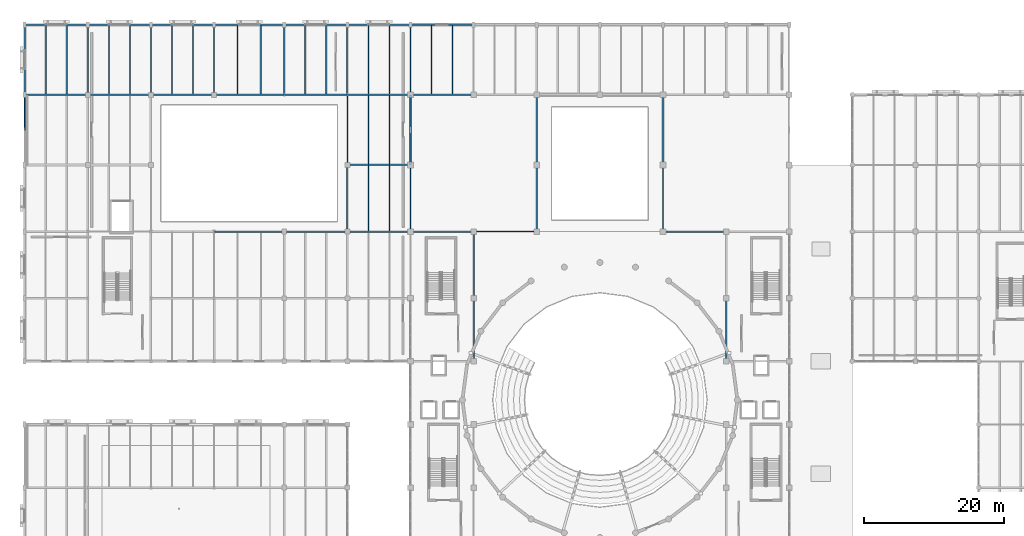
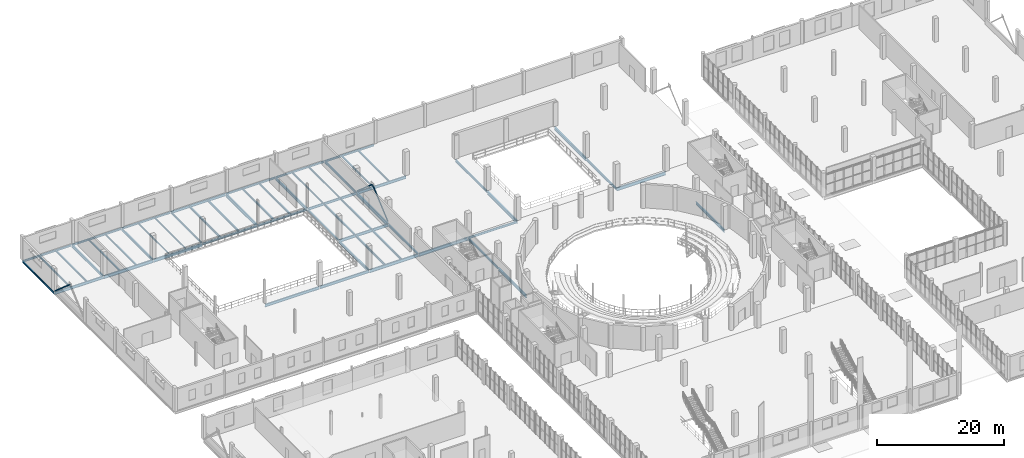
# One storey, part 44 of 93: 57 beams, 3 members.
"""IFC4 building model written with IfcOpenShell, lengths in metres."""

from ifc_helpers import new_model, si_unit, direction, frame, origin, origin_2d, place, context, subcontext, project, spatial, hollow_circle, i_section, extrude, material, material_profile, profile_set, type_object, element, save


model = new_model("IFC4")

# Units and contexts
model_context = context("Model", 3, precision=1e-05, world=origin(), true_north=direction((0.0, 1.0)))
body_context = subcontext(model_context, "Body", "Model", "MODEL_VIEW")
ifc_project = project(units=[si_unit("LENGTHUNIT", "METRE"), si_unit("AREAUNIT", "SQUARE_METRE"), si_unit("VOLUMEUNIT", "CUBIC_METRE"), si_unit("PLANEANGLEUNIT", "RADIAN"), si_unit("MASSUNIT", "GRAM", prefix="KILO")], contexts=[model_context])

# Site, building, storey
site_placement = place(None, origin())
site = spatial("IfcSite", under=ifc_project, at=site_placement, CompositionType="ELEMENT")
building_placement = place(site_placement, origin())
building = spatial("IfcBuilding", under=site, at=building_placement, Name="Marnock Terrace Opera House", CompositionType="ELEMENT")
storey_placement = place(building_placement, frame((0.0, 0.0, 5.39990234375)))
storey = spatial("IfcBuildingStorey", under=building, at=storey_placement, Name="L01", CompositionType="ELEMENT", Elevation=5.39990234375)

# Beams
ifc_material_1 = material(Name="Steel Grade 350 (AS/NZS 3679.1)", Category="steel")
ifc_material_profile_1 = material_profile(ifc_material_1, i_section(OverallWidth=0.1708984375, OverallDepth=0.355712890625, WebThickness=0.00732421875, FlangeThickness=0.011474609375, FilletRadius=0.011474609375, at=origin_2d()))
ifc_profile_set_1 = profile_set([ifc_material_profile_1], Name="Steel Grade 350 (AS/NZS 3679.1)")
beam_type_1 = type_object("IfcBeamType", Name="BM-GIRD-360", PredefinedType="BEAM", material=ifc_profile_set_1)
for number, where, z_axis, x_axis, name in (
    (1, (27.0, 104.050048828125, -0.457763671875), (0.0, 1.0, 0.0), (-1.0, 0.0, 0.0), "L01 girder (X=27.0, 104.0..114.0)"),
    (2, (46.0, 94.050048828125, -0.457763671875), (0.0, 1.0, 0.0), (-1.0, 0.0, 0.0), "L01 girder (X=46.0, 94.0..104.0)"),
):
    element("IfcBeam", number, at=place(storey_placement, frame(where, z_axis=z_axis, x_axis=x_axis)), inside=storey, type_object=beam_type_1, Name=name, PredefinedType="BEAM", context=body_context, shape_type="SweptSolid", body=[
        extrude(i_section(OverallWidth=0.1708984375, OverallDepth=0.355712890625, WebThickness=0.00732421875, FlangeThickness=0.011474609375, FilletRadius=0.011474609375, at=origin_2d()), origin(), (0.0, 0.0, 1.0), 9.89990234375),
    ])
ifc_material_profile_2 = material_profile(ifc_material_1, i_section(OverallWidth=0.177978515625, OverallDepth=0.402587890625, WebThickness=0.007568359375, FlangeThickness=0.010986328125, FilletRadius=0.011474609375, at=origin_2d()))
ifc_profile_set_2 = profile_set([ifc_material_profile_2], Name="Steel Grade 350 (AS/NZS 3679.1)")
beam_type_2 = type_object("IfcBeamType", Name="BM-GIRD-410", PredefinedType="BEAM", material=ifc_profile_set_2)
beam_1_placement = place(storey_placement, frame((64.050048828125, 84.5, -0.481201171875), z_axis=(1.0, 0.0, 0.0), x_axis=(0.0, 1.0, 0.0)))
element("IfcBeam", 3, at=beam_1_placement, inside=storey, type_object=beam_type_2, Name="L01 girder (64.0..73.0, Y=84.5)", PredefinedType="BEAM", context=body_context, shape_type="SweptSolid", body=[
    extrude(i_section(OverallWidth=0.177978515625, OverallDepth=0.402587890625, WebThickness=0.007568359375, FlangeThickness=0.010986328125, FilletRadius=0.011474609375, at=origin_2d()), origin(), (0.0, 0.0, 1.0), 8.89990234375),
])
beam_2_placement = place(storey_placement, frame((27.050048828125, 104.0, -0.481201171875), z_axis=(1.0, 0.0, 0.0), x_axis=(0.0, 1.0, 0.0)))
element("IfcBeam", 4, at=beam_2_placement, inside=storey, type_object=beam_type_2, Name="L01 girder (27.0..37.0, Y=104.0)", PredefinedType="BEAM", context=body_context, shape_type="SweptSolid", body=[
    extrude(i_section(OverallWidth=0.177978515625, OverallDepth=0.402587890625, WebThickness=0.007568359375, FlangeThickness=0.010986328125, FilletRadius=0.011474609375, at=origin_2d()), origin(), (0.0, 0.0, 1.0), 9.89990234375),
])
beam_3_placement = place(storey_placement, frame((37.050048828125, 104.0, -0.481201171875), z_axis=(1.0, 0.0, 0.0), x_axis=(0.0, 1.0, 0.0)))
element("IfcBeam", 5, at=beam_3_placement, inside=storey, type_object=beam_type_2, Name="L01 girder (37.0..46.0, Y=104.0)", PredefinedType="BEAM", context=body_context, shape_type="SweptSolid", body=[
    extrude(i_section(OverallWidth=0.177978515625, OverallDepth=0.402587890625, WebThickness=0.007568359375, FlangeThickness=0.010986328125, FilletRadius=0.011474609375, at=origin_2d()), origin(), (0.0, 0.0, 1.0), 8.89990234375),
])
ifc_material_profile_3 = material_profile(ifc_material_1, i_section(OverallWidth=0.19091796875, OverallDepth=0.46044921875, WebThickness=0.010009765625, FlangeThickness=0.01611328125, FilletRadius=0.011474609375, at=origin_2d()))
ifc_profile_set_3 = profile_set([ifc_material_profile_3], Name="Steel Grade 350 (AS/NZS 3679.1)")
beam_type_3 = type_object("IfcBeamType", Name="BM-GIRD-460A", PredefinedType="BEAM", material=ifc_profile_set_3)
beam_4_placement = place(storey_placement, frame((46.050048828125, 104.0, -0.510009765625), z_axis=(1.0, 0.0, 0.0), x_axis=(0.0, 1.0, 0.0)))
element("IfcBeam", 6, at=beam_4_placement, inside=storey, type_object=beam_type_3, Name="L01 girder (46.0..55.0, Y=104.0)", PredefinedType="BEAM", context=body_context, shape_type="SweptSolid", body=[
    extrude(i_section(OverallWidth=0.19091796875, OverallDepth=0.46044921875, WebThickness=0.010009765625, FlangeThickness=0.01611328125, FilletRadius=0.011474609375, at=origin_2d()), origin(), (0.0, 0.0, 1.0), 8.89990234375),
])
ifc_material_profile_4 = material_profile(ifc_material_1, i_section(OverallWidth=0.18994140625, OverallDepth=0.45751953125, WebThickness=0.009033203125, FlangeThickness=0.014404296875, FilletRadius=0.011474609375, at=origin_2d()))
ifc_profile_set_4 = profile_set([ifc_material_profile_4], Name="Steel Grade 350 (AS/NZS 3679.1)")
beam_type_4 = type_object("IfcBeamType", Name="BM-GIRD-460B", PredefinedType="BEAM", material=ifc_profile_set_4)
beam_5_placement = place(storey_placement, frame((18.0, 104.050048828125, -0.508544921875), z_axis=(0.0, 1.0, 0.0), x_axis=(-1.0, 0.0, 0.0)))
element("IfcBeam", 7, at=beam_5_placement, inside=storey, type_object=beam_type_4, Name="L01 girder (X=18.0, 104.0..114.0)", PredefinedType="BEAM", context=body_context, shape_type="SweptSolid", body=[
    extrude(i_section(OverallWidth=0.18994140625, OverallDepth=0.45751953125, WebThickness=0.009033203125, FlangeThickness=0.014404296875, FilletRadius=0.011474609375, at=origin_2d()), origin(), (0.0, 0.0, 1.0), 9.89990234375),
])
beam_6_placement = place(storey_placement, frame((55.0, 84.550048828125, -0.508544921875), z_axis=(0.0, 1.0, 0.0), x_axis=(-1.0, 0.0, 0.0)))
element("IfcBeam", 8, at=beam_6_placement, inside=storey, type_object=beam_type_4, Name="L01 girder (X=55.0, 84.5..94.0)", PredefinedType="BEAM", context=body_context, shape_type="SweptSolid", body=[
    extrude(i_section(OverallWidth=0.18994140625, OverallDepth=0.45751953125, WebThickness=0.009033203125, FlangeThickness=0.014404296875, FilletRadius=0.011474609375, at=origin_2d()), origin(), (0.0, 0.0, 1.0), 9.39990234375),
])
beam_7_placement = place(storey_placement, frame((55.0, 104.050048828125, -0.508544921875), z_axis=(0.0, 1.0, 0.0), x_axis=(-1.0, 0.0, 0.0)))
element("IfcBeam", 9, at=beam_7_placement, inside=storey, type_object=beam_type_4, Name="L01 girder (X=55.0, 104.0..114.0)", PredefinedType="BEAM", context=body_context, shape_type="SweptSolid", body=[
    extrude(i_section(OverallWidth=0.18994140625, OverallDepth=0.45751953125, WebThickness=0.009033203125, FlangeThickness=0.014404296875, FilletRadius=0.011474609375, at=origin_2d()), origin(), (0.0, 0.0, 1.0), 9.89990234375),
])
beam_8_placement = place(storey_placement, frame((64.0, 75.050048828125, -0.508544921875), z_axis=(0.0, 1.0, 0.0), x_axis=(-1.0, 0.0, 0.0)))
element("IfcBeam", 10, at=beam_8_placement, inside=storey, type_object=beam_type_4, Name="L01 girder (X=64.0, 75.0..84.5)", PredefinedType="BEAM", context=body_context, shape_type="SweptSolid", body=[
    extrude(i_section(OverallWidth=0.18994140625, OverallDepth=0.45751953125, WebThickness=0.009033203125, FlangeThickness=0.014404296875, FilletRadius=0.011474609375, at=origin_2d()), origin(), (0.0, 0.0, 1.0), 9.39990234375),
])
beam_9_placement = place(storey_placement, frame((73.0, 94.050048828125, -0.508544921875), z_axis=(0.0, 1.0, 0.0), x_axis=(-1.0, 0.0, 0.0)))
element("IfcBeam", 11, at=beam_9_placement, inside=storey, type_object=beam_type_4, Name="L01 girder (X=73.0, 94.0..104.0)", PredefinedType="BEAM", context=body_context, shape_type="SweptSolid", body=[
    extrude(i_section(OverallWidth=0.18994140625, OverallDepth=0.45751953125, WebThickness=0.009033203125, FlangeThickness=0.014404296875, FilletRadius=0.011474609375, at=origin_2d()), origin(), (0.0, 0.0, 1.0), 9.89990234375),
])
beam_10_placement = place(storey_placement, frame((91.0, 84.550048828125, -0.508544921875), z_axis=(0.0, 1.0, 0.0), x_axis=(-1.0, 0.0, 0.0)))
element("IfcBeam", 12, at=beam_10_placement, inside=storey, type_object=beam_type_4, Name="L01 girder (X=91.0, 84.5..94.0)", PredefinedType="BEAM", context=body_context, shape_type="SweptSolid", body=[
    extrude(i_section(OverallWidth=0.18994140625, OverallDepth=0.45751953125, WebThickness=0.009033203125, FlangeThickness=0.014404296875, FilletRadius=0.011474609375, at=origin_2d()), origin(), (0.0, 0.0, 1.0), 9.39990234375),
])
ifc_material_profile_5 = material_profile(ifc_material_1, i_section(OverallWidth=0.208984375, OverallDepth=0.532958984375, WebThickness=0.01025390625, FlangeThickness=0.015625, FilletRadius=0.013916015625, at=origin_2d()))
ifc_profile_set_5 = profile_set([ifc_material_profile_5], Name="Steel Grade 350 (AS/NZS 3679.1)")
beam_type_5 = type_object("IfcBeamType", Name="BM-GIRD-530A", PredefinedType="BEAM", material=ifc_profile_set_5)
beam_11_placement = place(storey_placement, frame((27.050048828125, 84.5, -0.54638671875), z_axis=(1.0, 0.0, 0.0), x_axis=(0.0, 1.0, 0.0)))
element("IfcBeam", 13, at=beam_11_placement, inside=storey, type_object=beam_type_5, Name="L01 girder (27.0..37.0, Y=84.5)", PredefinedType="BEAM", context=body_context, shape_type="SweptSolid", body=[
    extrude(i_section(OverallWidth=0.208984375, OverallDepth=0.532958984375, WebThickness=0.01025390625, FlangeThickness=0.015625, FilletRadius=0.013916015625, at=origin_2d()), origin(), (0.0, 0.0, 1.0), 9.89990234375),
])
for number, where, z_axis, x_axis, name in (
    (14, (37.050048828125, 84.5, -0.54638671875), (1.0, 0.0, 0.0), (0.0, 1.0, 0.0), "L01 girder (37.0..46.0, Y=84.5)"),
    (15, (46.050048828125, 94.0, -0.54638671875), (1.0, 0.0, 0.0), (0.0, 1.0, 0.0), "L01 girder (46.0..55.0, Y=94.0)"),
    (16, (0.050048828125, 104.0, -0.54638671875), (1.0, 0.0, 0.0), (0.0, 1.0, 0.0), "L01 girder (0.0..9.0, Y=104.0)"),
    (17, (55.050048828125, 104.0, -0.54638671875), (1.0, 0.0, 0.0), (0.0, 1.0, 0.0), "L01 girder (55.0..64.0, Y=104.0)"),
):
    element("IfcBeam", number, at=place(storey_placement, frame(where, z_axis=z_axis, x_axis=x_axis)), inside=storey, type_object=beam_type_5, Name=name, PredefinedType="BEAM", context=body_context, shape_type="SweptSolid", body=[
        extrude(i_section(OverallWidth=0.208984375, OverallDepth=0.532958984375, WebThickness=0.01025390625, FlangeThickness=0.015625, FilletRadius=0.013916015625, at=origin_2d()), origin(), (0.0, 0.0, 1.0), 8.89990234375),
    ])
ifc_material_profile_6 = material_profile(ifc_material_1, i_section(OverallWidth=0.208984375, OverallDepth=0.528076171875, WebThickness=0.009521484375, FlangeThickness=0.01318359375, FilletRadius=0.013916015625, at=origin_2d()))
ifc_profile_set_6 = profile_set([ifc_material_profile_6], Name="Steel Grade 350 (AS/NZS 3679.1)")
beam_type_6 = type_object("IfcBeamType", Name="BM-GIRD-530B", PredefinedType="BEAM", material=ifc_profile_set_6)
beam_12_placement = place(storey_placement, frame((9.0, 104.050048828125, -0.5439453125), z_axis=(0.0, 1.0, 0.0), x_axis=(-1.0, 0.0, 0.0)))
element("IfcBeam", 18, at=beam_12_placement, inside=storey, type_object=beam_type_6, Name="L01 girder (X=9.0, 104.0..114.0)", PredefinedType="BEAM", context=body_context, shape_type="SweptSolid", body=[
    extrude(i_section(OverallWidth=0.208984375, OverallDepth=0.528076171875, WebThickness=0.009521484375, FlangeThickness=0.01318359375, FilletRadius=0.013916015625, at=origin_2d()), origin(), (0.0, 0.0, 1.0), 9.89990234375),
])
beam_13_placement = place(storey_placement, frame((46.0, 84.550048828125, -0.5439453125), z_axis=(0.0, 1.0, 0.0), x_axis=(-1.0, 0.0, 0.0)))
element("IfcBeam", 19, at=beam_13_placement, inside=storey, type_object=beam_type_6, Name="L01 girder (X=46.0, 84.5..94.0)", PredefinedType="BEAM", context=body_context, shape_type="SweptSolid", body=[
    extrude(i_section(OverallWidth=0.208984375, OverallDepth=0.528076171875, WebThickness=0.009521484375, FlangeThickness=0.01318359375, FilletRadius=0.013916015625, at=origin_2d()), origin(), (0.0, 0.0, 1.0), 9.39990234375),
])
beam_14_placement = place(storey_placement, frame((46.0, 104.050048828125, -0.5439453125), z_axis=(0.0, 1.0, 0.0), x_axis=(-1.0, 0.0, 0.0)))
element("IfcBeam", 20, at=beam_14_placement, inside=storey, type_object=beam_type_6, Name="L01 girder (X=46.0, 104.0..114.0)", PredefinedType="BEAM", context=body_context, shape_type="SweptSolid", body=[
    extrude(i_section(OverallWidth=0.208984375, OverallDepth=0.528076171875, WebThickness=0.009521484375, FlangeThickness=0.01318359375, FilletRadius=0.013916015625, at=origin_2d()), origin(), (0.0, 0.0, 1.0), 9.89990234375),
])
for number, where, z_axis, x_axis, name in (
    (21, (64.0, 66.050048828125, -0.5439453125), (0.0, 1.0, 0.0), (-1.0, 0.0, 0.0), "L01 girder (X=64.0, 66.0..75.0)"),
    (22, (100.0, 66.050048828125, -0.5439453125), (0.0, 1.0, 0.0), (-1.0, 0.0, 0.0), "L01 girder (X=100.0, 66.0..75.0)"),
):
    element("IfcBeam", number, at=place(storey_placement, frame(where, z_axis=z_axis, x_axis=x_axis)), inside=storey, type_object=beam_type_6, Name=name, PredefinedType="BEAM", context=body_context, shape_type="SweptSolid", body=[
        extrude(i_section(OverallWidth=0.208984375, OverallDepth=0.528076171875, WebThickness=0.009521484375, FlangeThickness=0.01318359375, FilletRadius=0.013916015625, at=origin_2d()), origin(), (0.0, 0.0, 1.0), 8.89990234375),
    ])
ifc_material_profile_7 = material_profile(ifc_material_1, i_section(OverallWidth=0.22900390625, OverallDepth=0.611572265625, WebThickness=0.011962890625, FlangeThickness=0.01953125, FilletRadius=0.013916015625, at=origin_2d()))
ifc_profile_set_7 = profile_set([ifc_material_profile_7], Name="Steel Grade 350 (AS/NZS 3679.1)")
beam_type_7 = type_object("IfcBeamType", Name="BM-GIRD-610A", PredefinedType="BEAM", material=ifc_profile_set_7)
for number, where, z_axis, x_axis, name in (
    (23, (55.050048828125, 84.5, -0.585693359375), (1.0, 0.0, 0.0), (0.0, 1.0, 0.0), "L01 girder (55.0..64.0, Y=84.5)"),
    (24, (18.050048828125, 104.0, -0.585693359375), (1.0, 0.0, 0.0), (0.0, 1.0, 0.0), "L01 girder (18.0..27.0, Y=104.0)"),
):
    element("IfcBeam", number, at=place(storey_placement, frame(where, z_axis=z_axis, x_axis=x_axis)), inside=storey, type_object=beam_type_7, Name=name, PredefinedType="BEAM", context=body_context, shape_type="SweptSolid", body=[
        extrude(i_section(OverallWidth=0.22900390625, OverallDepth=0.611572265625, WebThickness=0.011962890625, FlangeThickness=0.01953125, FilletRadius=0.013916015625, at=origin_2d()), origin(), (0.0, 0.0, 1.0), 8.89990234375),
    ])
ifc_material_profile_8 = material_profile(ifc_material_1, i_section(OverallWidth=0.22802734375, OverallDepth=0.60693359375, WebThickness=0.01123046875, FlangeThickness=0.017333984375, FilletRadius=0.013916015625, at=origin_2d()))
ifc_profile_set_8 = profile_set([ifc_material_profile_8], Name="Steel Grade 350 (AS/NZS 3679.1)")
beam_type_8 = type_object("IfcBeamType", Name="BM-GIRD-610B", PredefinedType="BEAM", material=ifc_profile_set_8)
for number, where, z_axis, x_axis, name in (
    (25, (46.050048828125, 84.5, -0.58349609375), (1.0, 0.0, 0.0), (0.0, 1.0, 0.0), "L01 girder (46.0..55.0, Y=84.5)"),
    (26, (91.050048828125, 84.5, -0.58349609375), (1.0, 0.0, 0.0), (0.0, 1.0, 0.0), "L01 girder (91.0..100.0, Y=84.5)"),
    (27, (9.050048828125, 104.0, -0.58349609375), (1.0, 0.0, 0.0), (0.0, 1.0, 0.0), "L01 girder (9.0..18.0, Y=104.0)"),
):
    element("IfcBeam", number, at=place(storey_placement, frame(where, z_axis=z_axis, x_axis=x_axis)), inside=storey, type_object=beam_type_8, Name=name, PredefinedType="BEAM", context=body_context, shape_type="SweptSolid", body=[
        extrude(i_section(OverallWidth=0.22802734375, OverallDepth=0.60693359375, WebThickness=0.01123046875, FlangeThickness=0.017333984375, FilletRadius=0.013916015625, at=origin_2d()), origin(), (0.0, 0.0, 1.0), 8.89990234375),
    ])
ifc_material_profile_9 = material_profile(ifc_material_1, i_section(OverallWidth=0.22802734375, OverallDepth=0.60205078125, WebThickness=0.010498046875, FlangeThickness=0.014892578125, FilletRadius=0.013916015625, at=origin_2d()))
ifc_profile_set_9 = profile_set([ifc_material_profile_9], Name="Steel Grade 350 (AS/NZS 3679.1)")
beam_type_9 = type_object("IfcBeamType", Name="BM-GIRD-610C", PredefinedType="BEAM", material=ifc_profile_set_9)
for number, where, z_axis, x_axis, name in (
    (28, (37.0, 104.050048828125, -0.580810546875), (0.0, 1.0, 0.0), (-1.0, 0.0, 0.0), "L01 girder (X=37.0, 104.0..114.0)"),
    (29, (55.0, 94.050048828125, -0.580810546875), (0.0, 1.0, 0.0), (-1.0, 0.0, 0.0), "L01 girder (X=55.0, 94.0..104.0)"),
):
    element("IfcBeam", number, at=place(storey_placement, frame(where, z_axis=z_axis, x_axis=x_axis)), inside=storey, type_object=beam_type_9, Name=name, PredefinedType="BEAM", context=body_context, shape_type="SweptSolid", body=[
        extrude(i_section(OverallWidth=0.22802734375, OverallDepth=0.60205078125, WebThickness=0.010498046875, FlangeThickness=0.014892578125, FilletRadius=0.013916015625, at=origin_2d()), origin(), (0.0, 0.0, 1.0), 9.89990234375),
    ])
beam_15_placement = place(storey_placement, frame((73.0, 84.550048828125, -0.580810546875), z_axis=(0.0, 1.0, 0.0), x_axis=(-1.0, 0.0, 0.0)))
element("IfcBeam", 30, at=beam_15_placement, inside=storey, type_object=beam_type_9, Name="L01 girder (X=73.0, 84.5..94.0)", PredefinedType="BEAM", context=body_context, shape_type="SweptSolid", body=[
    extrude(i_section(OverallWidth=0.22802734375, OverallDepth=0.60205078125, WebThickness=0.010498046875, FlangeThickness=0.014892578125, FilletRadius=0.013916015625, at=origin_2d()), origin(), (0.0, 0.0, 1.0), 9.39990234375),
])
beam_16_placement = place(storey_placement, frame((91.0, 94.050048828125, -0.580810546875), z_axis=(0.0, 1.0, 0.0), x_axis=(-1.0, 0.0, 0.0)))
element("IfcBeam", 31, at=beam_16_placement, inside=storey, type_object=beam_type_9, Name="L01 girder (X=91.0, 94.0..104.0)", PredefinedType="BEAM", context=body_context, shape_type="SweptSolid", body=[
    extrude(i_section(OverallWidth=0.22802734375, OverallDepth=0.60205078125, WebThickness=0.010498046875, FlangeThickness=0.014892578125, FilletRadius=0.013916015625, at=origin_2d()), origin(), (0.0, 0.0, 1.0), 9.89990234375),
])
ifc_material_profile_10 = material_profile(ifc_material_1, i_section(OverallWidth=0.14599609375, OverallDepth=0.256103515625, WebThickness=0.00634765625, FlangeThickness=0.010986328125, FilletRadius=0.0087890625, at=origin_2d()))
ifc_profile_set_10 = profile_set([ifc_material_profile_10], Name="Steel Grade 350 (AS/NZS 3679.1)")
beam_type_10 = type_object("IfcBeamType", Name="BM-JOIST-250", PredefinedType="JOIST", material=ifc_profile_set_10)
for number, where, z_axis, x_axis, name in (
    (32, (21.0, 104.109619140625, -0.407958984375), (0.0, 1.0, 0.0), (-1.0, 0.0, 0.0), "L01 secondary joist 2.12.1"),
    (33, (24.0, 104.109619140625, -0.407958984375), (0.0, 1.0, 0.0), (-1.0, 0.0, 0.0), "L01 secondary joist 2.12.2"),
):
    element("IfcBeam", number, at=place(storey_placement, frame(where, z_axis=z_axis, x_axis=x_axis)), inside=storey, type_object=beam_type_10, Name=name, PredefinedType="JOIST", context=body_context, shape_type="SweptSolid", body=[
        extrude(i_section(OverallWidth=0.14599609375, OverallDepth=0.256103515625, WebThickness=0.00634765625, FlangeThickness=0.010986328125, FilletRadius=0.0087890625, at=origin_2d()), origin(), (0.0, 0.0, 1.0), 9.809326171875),
    ])
ifc_material_profile_11 = material_profile(ifc_material_1, i_section(OverallWidth=0.166015625, OverallDepth=0.30712890625, WebThickness=0.006591796875, FlangeThickness=0.01171875, FilletRadius=0.011474609375, at=origin_2d()))
ifc_profile_set_11 = profile_set([ifc_material_profile_11], Name="Steel Grade 350 (AS/NZS 3679.1)")
beam_type_11 = type_object("IfcBeamType", Name="BM-JOIST-310A", PredefinedType="JOIST", material=ifc_profile_set_11)
for number, where, z_axis, x_axis, name in (
    (34, (3.0, 104.099609375, -0.43359375), (0.0, 1.0, 0.0), (-1.0, 0.0, 0.0), "L01 secondary joist 0.12.1"),
    (35, (6.0, 104.099609375, -0.43359375), (0.0, 1.0, 0.0), (-1.0, 0.0, 0.0), "L01 secondary joist 0.12.2"),
):
    element("IfcBeam", number, at=place(storey_placement, frame(where, z_axis=z_axis, x_axis=x_axis)), inside=storey, type_object=beam_type_11, Name=name, PredefinedType="JOIST", context=body_context, shape_type="SweptSolid", body=[
        extrude(i_section(OverallWidth=0.166015625, OverallDepth=0.30712890625, WebThickness=0.006591796875, FlangeThickness=0.01171875, FilletRadius=0.011474609375, at=origin_2d()), origin(), (0.0, 0.0, 1.0), 9.8193359375),
    ])
for number, where, z_axis, x_axis, name in (
    (36, (49.0, 104.090576171875, -0.43359375), (0.0, 1.0, 0.0), (-1.0, 0.0, 0.0), "L01 secondary joist 5.12.1"),
    (37, (52.0, 104.090576171875, -0.43359375), (0.0, 1.0, 0.0), (-1.0, 0.0, 0.0), "L01 secondary joist 5.12.2"),
):
    element("IfcBeam", number, at=place(storey_placement, frame(where, z_axis=z_axis, x_axis=x_axis)), inside=storey, type_object=beam_type_11, Name=name, PredefinedType="JOIST", context=body_context, shape_type="SweptSolid", body=[
        extrude(i_section(OverallWidth=0.166015625, OverallDepth=0.30712890625, WebThickness=0.006591796875, FlangeThickness=0.01171875, FilletRadius=0.011474609375, at=origin_2d()), origin(), (0.0, 0.0, 1.0), 9.828369140625),
    ])
ifc_material_profile_12 = material_profile(ifc_material_1, i_section(OverallWidth=0.1650390625, OverallDepth=0.3037109375, WebThickness=0.006103515625, FlangeThickness=0.01025390625, FilletRadius=0.011474609375, at=origin_2d()))
ifc_profile_set_12 = profile_set([ifc_material_profile_12], Name="Steel Grade 350 (AS/NZS 3679.1)")
beam_type_12 = type_object("IfcBeamType", Name="BM-JOIST-310B", PredefinedType="JOIST", material=ifc_profile_set_12)
for number, where, z_axis, x_axis, name in (
    (38, (12.0, 104.10888671875, -0.431884765625), (0.0, 1.0, 0.0), (-1.0, 0.0, 0.0), "L01 secondary joist 1.12.1"),
    (39, (15.0, 104.10888671875, -0.431884765625), (0.0, 1.0, 0.0), (-1.0, 0.0, 0.0), "L01 secondary joist 1.12.2"),
):
    element("IfcBeam", number, at=place(storey_placement, frame(where, z_axis=z_axis, x_axis=x_axis)), inside=storey, type_object=beam_type_12, Name=name, PredefinedType="JOIST", context=body_context, shape_type="SweptSolid", body=[
        extrude(i_section(OverallWidth=0.1650390625, OverallDepth=0.3037109375, WebThickness=0.006103515625, FlangeThickness=0.01025390625, FilletRadius=0.011474609375, at=origin_2d()), origin(), (0.0, 0.0, 1.0), 9.81005859375),
    ])
for number, where, z_axis, x_axis, name in (
    (40, (58.0, 104.099609375, -0.431884765625), (0.0, 1.0, 0.0), (-1.0, 0.0, 0.0), "L01 secondary joist 6.12.1"),
    (41, (61.0, 104.099609375, -0.431884765625), (0.0, 1.0, 0.0), (-1.0, 0.0, 0.0), "L01 secondary joist 6.12.2"),
):
    element("IfcBeam", number, at=place(storey_placement, frame(where, z_axis=z_axis, x_axis=x_axis)), inside=storey, type_object=beam_type_12, Name=name, PredefinedType="JOIST", context=body_context, shape_type="SweptSolid", body=[
        extrude(i_section(OverallWidth=0.1650390625, OverallDepth=0.3037109375, WebThickness=0.006103515625, FlangeThickness=0.01025390625, FilletRadius=0.011474609375, at=origin_2d()), origin(), (0.0, 0.0, 1.0), 9.8193359375),
    ])
ifc_material_profile_13 = material_profile(ifc_material_1, i_section(OverallWidth=0.172119140625, OverallDepth=0.358642578125, WebThickness=0.008056640625, FlangeThickness=0.012939453125, FilletRadius=0.011474609375, at=origin_2d()))
ifc_profile_set_13 = profile_set([ifc_material_profile_13], Name="Steel Grade 350 (AS/NZS 3679.1)")
beam_type_13 = type_object("IfcBeamType", Name="BM-JOIST-360", PredefinedType="JOIST", material=ifc_profile_set_13)
for number, where, z_axis, x_axis, name in (
    (42, (40.0, 104.083984375, -0.459228515625), (0.0, 1.0, 0.0), (-1.0, 0.0, 0.0), "L01 secondary joist 4.12.1"),
    (43, (43.0, 104.083984375, -0.459228515625), (0.0, 1.0, 0.0), (-1.0, 0.0, 0.0), "L01 secondary joist 4.12.2"),
):
    element("IfcBeam", number, at=place(storey_placement, frame(where, z_axis=z_axis, x_axis=x_axis)), inside=storey, type_object=beam_type_13, Name=name, PredefinedType="JOIST", context=body_context, shape_type="SweptSolid", body=[
        extrude(i_section(OverallWidth=0.172119140625, OverallDepth=0.358642578125, WebThickness=0.008056640625, FlangeThickness=0.012939453125, FilletRadius=0.011474609375, at=origin_2d()), origin(), (0.0, 0.0, 1.0), 9.8349609375),
    ])
for number, where, z_axis, x_axis, name in (
    (44, (49.0, 94.099609375, -0.459228515625), (0.0, 1.0, 0.0), (-1.0, 0.0, 0.0), "L01 secondary joist 5.11.1"),
    (45, (52.0, 94.099609375, -0.459228515625), (0.0, 1.0, 0.0), (-1.0, 0.0, 0.0), "L01 secondary joist 5.11.2"),
):
    element("IfcBeam", number, at=place(storey_placement, frame(where, z_axis=z_axis, x_axis=x_axis)), inside=storey, type_object=beam_type_13, Name=name, PredefinedType="JOIST", context=body_context, shape_type="SweptSolid", body=[
        extrude(i_section(OverallWidth=0.172119140625, OverallDepth=0.358642578125, WebThickness=0.008056640625, FlangeThickness=0.012939453125, FilletRadius=0.011474609375, at=origin_2d()), origin(), (0.0, 0.0, 1.0), 9.809814453125),
    ])
ifc_material_profile_14 = material_profile(ifc_material_1, i_section(OverallWidth=0.177978515625, OverallDepth=0.406494140625, WebThickness=0.0078125, FlangeThickness=0.0126953125, FilletRadius=0.011474609375, at=origin_2d()))
ifc_profile_set_14 = profile_set([ifc_material_profile_14], Name="Steel Grade 350 (AS/NZS 3679.1)")
beam_type_14 = type_object("IfcBeamType", Name="BM-JOIST-410", PredefinedType="JOIST", material=ifc_profile_set_14)
for number, where, z_axis, x_axis, name in (
    (46, (30.333251953125, 104.083984375, -0.483154296875), (0.0, 1.0, 0.0), (-1.0, 0.0, 0.0), "L01 secondary joist 3.12.1"),
    (47, (33.666748046875, 104.083984375, -0.483154296875), (0.0, 1.0, 0.0), (-1.0, 0.0, 0.0), "L01 secondary joist 3.12.2"),
):
    element("IfcBeam", number, at=place(storey_placement, frame(where, z_axis=z_axis, x_axis=x_axis)), inside=storey, type_object=beam_type_14, Name=name, PredefinedType="JOIST", context=body_context, shape_type="SweptSolid", body=[
        extrude(i_section(OverallWidth=0.177978515625, OverallDepth=0.406494140625, WebThickness=0.0078125, FlangeThickness=0.0126953125, FilletRadius=0.011474609375, at=origin_2d()), origin(), (0.0, 0.0, 1.0), 9.825439453125),
    ])
for number, where, z_axis, x_axis, name in (
    (48, (49.0, 84.60888671875, -0.483154296875), (0.0, 1.0, 0.0), (-1.0, 0.0, 0.0), "L01 secondary joist 5.10.1"),
    (49, (52.0, 84.60888671875, -0.483154296875), (0.0, 1.0, 0.0), (-1.0, 0.0, 0.0), "L01 secondary joist 5.10.2"),
):
    element("IfcBeam", number, at=place(storey_placement, frame(where, z_axis=z_axis, x_axis=x_axis)), inside=storey, type_object=beam_type_14, Name=name, PredefinedType="JOIST", context=body_context, shape_type="SweptSolid", body=[
        extrude(i_section(OverallWidth=0.177978515625, OverallDepth=0.406494140625, WebThickness=0.0078125, FlangeThickness=0.0126953125, FilletRadius=0.011474609375, at=origin_2d()), origin(), (0.0, 0.0, 1.0), 9.29150390625),
    ])
ifc_material_profile_15 = material_profile(ifc_material_1, i_section(OverallWidth=0.172119140625, OverallDepth=0.358642578125, WebThickness=0.008056640625, FlangeThickness=0.012939453125, FilletRadius=0.011474609375, at=origin_2d()))
ifc_profile_set_15 = profile_set([ifc_material_profile_15], Name="Steel Grade 350 (AS/NZS 3679.1)")
beam_type_15 = type_object("IfcBeamType", Name="BM-SPAN-360", PredefinedType="SPANDREL", material=ifc_profile_set_15)
for number, where, z_axis, x_axis, name in (
    (50, (0.050048828125, 114.0, -0.459228515625), (1.0, 0.0, 0.0), (0.0, 1.0, 0.0), "L01 girder (0.0..9.0, Y=114.0)"),
    (51, (9.050048828125, 114.0, -0.459228515625), (1.0, 0.0, 0.0), (0.0, 1.0, 0.0), "L01 girder (9.0..18.0, Y=114.0)"),
    (52, (18.050048828125, 114.0, -0.459228515625), (1.0, 0.0, 0.0), (0.0, 1.0, 0.0), "L01 girder (18.0..27.0, Y=114.0)"),
    (53, (37.050048828125, 114.0, -0.459228515625), (1.0, 0.0, 0.0), (0.0, 1.0, 0.0), "L01 girder (37.0..46.0, Y=114.0)"),
    (54, (46.050048828125, 114.0, -0.459228515625), (1.0, 0.0, 0.0), (0.0, 1.0, 0.0), "L01 girder (46.0..55.0, Y=114.0)"),
    (55, (55.050048828125, 114.0, -0.459228515625), (1.0, 0.0, 0.0), (0.0, 1.0, 0.0), "L01 girder (55.0..64.0, Y=114.0)"),
):
    element("IfcBeam", number, at=place(storey_placement, frame(where, z_axis=z_axis, x_axis=x_axis)), inside=storey, type_object=beam_type_15, Name=name, PredefinedType="SPANDREL", context=body_context, shape_type="SweptSolid", body=[
        extrude(i_section(OverallWidth=0.172119140625, OverallDepth=0.358642578125, WebThickness=0.008056640625, FlangeThickness=0.012939453125, FilletRadius=0.011474609375, at=origin_2d()), origin(), (0.0, 0.0, 1.0), 8.89990234375),
    ])
beam_17_placement = place(storey_placement, frame((0.0, 104.050048828125, -0.459228515625), z_axis=(0.0, 1.0, 0.0), x_axis=(-1.0, 0.0, 0.0)))
element("IfcBeam", 56, at=beam_17_placement, inside=storey, type_object=beam_type_15, Name="L01 girder (X=0.0, 104.0..114.0)", PredefinedType="SPANDREL", context=body_context, shape_type="SweptSolid", body=[
    extrude(i_section(OverallWidth=0.172119140625, OverallDepth=0.358642578125, WebThickness=0.008056640625, FlangeThickness=0.012939453125, FilletRadius=0.011474609375, at=origin_2d()), origin(), (0.0, 0.0, 1.0), 9.89990234375),
])
ifc_material_profile_16 = material_profile(ifc_material_1, i_section(OverallWidth=0.19091796875, OverallDepth=0.46044921875, WebThickness=0.010009765625, FlangeThickness=0.01611328125, FilletRadius=0.011474609375, at=origin_2d()))
ifc_profile_set_16 = profile_set([ifc_material_profile_16], Name="Steel Grade 350 (AS/NZS 3679.1)")
beam_type_16 = type_object("IfcBeamType", Name="BM-SPAN-460", PredefinedType="SPANDREL", material=ifc_profile_set_16)
beam_18_placement = place(storey_placement, frame((27.050048828125, 114.0, -0.510009765625), z_axis=(1.0, 0.0, 0.0), x_axis=(0.0, 1.0, 0.0)))
element("IfcBeam", 57, at=beam_18_placement, inside=storey, type_object=beam_type_16, Name="L01 girder (27.0..37.0, Y=114.0)", PredefinedType="SPANDREL", context=body_context, shape_type="SweptSolid", body=[
    extrude(i_section(OverallWidth=0.19091796875, OverallDepth=0.46044921875, WebThickness=0.010009765625, FlangeThickness=0.01611328125, FilletRadius=0.011474609375, at=origin_2d()), origin(), (0.0, 0.0, 1.0), 9.89990234375),
])

# Members
ifc_material_2 = material(Name="Cold-formed Steel Grade C350L0 (AS/NZS 1163)", Category="steel")
ifc_material_profile_17 = material_profile(ifc_material_2, hollow_circle(Radius=0.109619140625, WallThickness=0.00830078125, at=origin_2d()))
ifc_profile_set_17 = profile_set([ifc_material_profile_17], Name="Cold-formed Steel Grade C350L0 (AS/NZS 1163)")
member_type_1 = type_object("IfcMemberType", Name="MEM-BRACE-CHS1", PredefinedType="BRACE", material=ifc_profile_set_17)
for number, where, z_axis, x_axis, name in (
    (58, (55.0, 94.14990234375, 0.0), (0.0, 0.757482782879, 0.65285513986), (-1.0, 0.0, 0.0), "L01 chevron brace A"),
    (59, (55.0, 103.85009765625, 0.0), (0.0, -0.757482782879, 0.65285513986), (1.0, 0.0, 0.0), "L01 chevron brace B"),
):
    element("IfcMember", number, at=place(storey_placement, frame(where, z_axis=z_axis, x_axis=x_axis)), inside=storey, type_object=member_type_1, Name=name, PredefinedType="BRACE", context=body_context, shape_type="SweptSolid", body=[
        extrude(hollow_circle(Radius=0.109619140625, WallThickness=0.00830078125, at=origin_2d()), origin(), (0.0, 0.0, 1.0), 6.40283203125),
    ])
ifc_material_profile_18 = material_profile(ifc_material_2, hollow_circle(Radius=0.06982421875, WallThickness=0.00634765625, at=origin_2d()))
ifc_profile_set_18 = profile_set([ifc_material_profile_18], Name="Cold-formed Steel Grade C350L0 (AS/NZS 1163)")
member_type_2 = type_object("IfcMemberType", Name="MEM-BRACE-CHS3", PredefinedType="BRACE", material=ifc_profile_set_18)
member_placement = place(storey_placement, frame((0.0, 103.85009765625, 0.0), z_axis=(0.0, -0.757482782879, 0.65285513986), x_axis=(1.0, 0.0, 0.0)))
element("IfcMember", 60, at=member_placement, inside=storey, type_object=member_type_2, Name="L01 chevron brace B", PredefinedType="BRACE", context=body_context, shape_type="SweptSolid", body=[
    extrude(hollow_circle(Radius=0.06982421875, WallThickness=0.00634765625, at=origin_2d()), origin(), (0.0, 0.0, 1.0), 6.40283203125),
])

save(model, "model.ifc")
